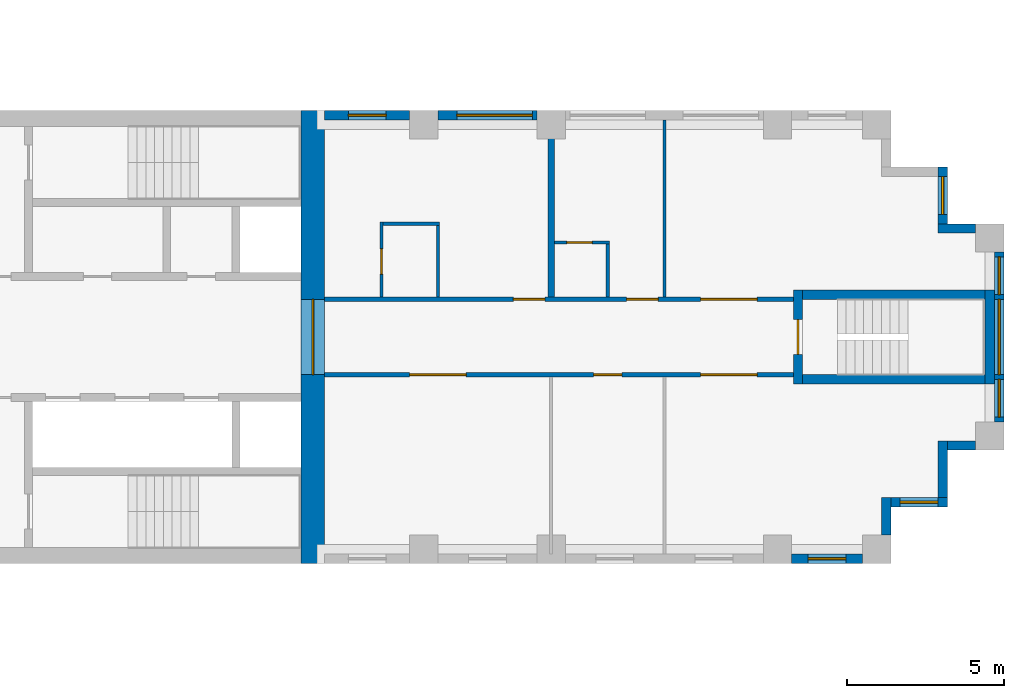
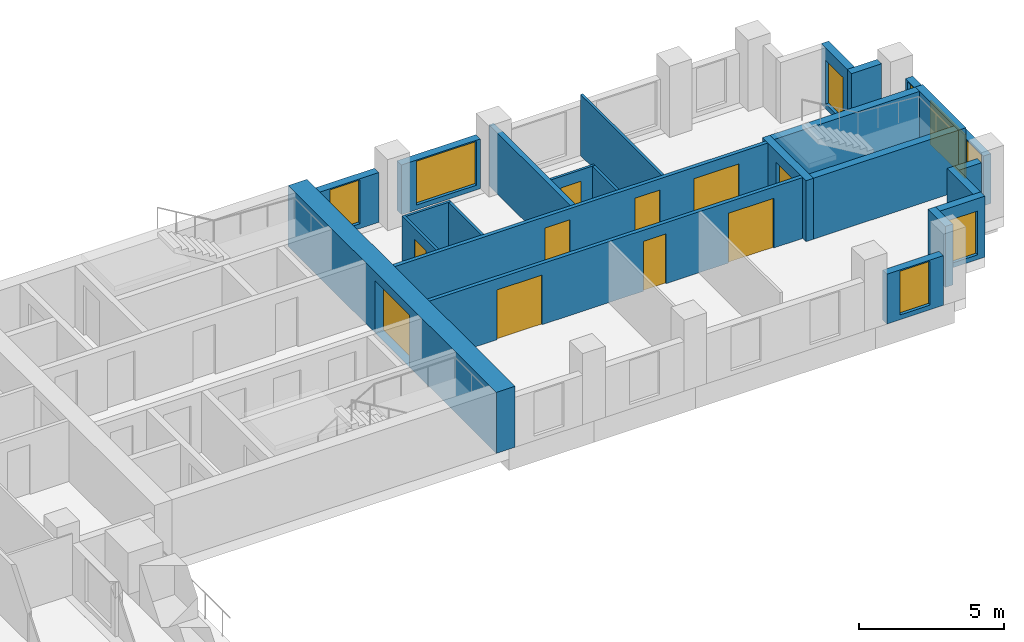
# One storey, part 10 of 13: 24 walls, 10 doors, 8 windows, 18 openings.
"""IFC4 building model written with IfcOpenShell, lengths in metres."""

from ifc_helpers import new_model, si_unit, direction, frame, frame_2d, origin, place, context, subcontext, project, spatial, rectangle, extrude, material, layer, layer_set, type_object, element, fill, save


model = new_model("IFC4")

# Units and contexts
model_context = context("Model", 3, precision=1e-05, world=origin(), true_north=direction((0.0, 1.0)))
body_context = subcontext(model_context, "Body", "Model", "MODEL_VIEW")
ifc_project = project(units=[si_unit("LENGTHUNIT", "METRE"), si_unit("AREAUNIT", "SQUARE_METRE"), si_unit("VOLUMEUNIT", "CUBIC_METRE"), si_unit("PLANEANGLEUNIT", "RADIAN"), si_unit("MASSUNIT", "GRAM", prefix="KILO")], contexts=[model_context])

# Site, building, storey
site_placement = place(None, origin())
site = spatial("IfcSite", under=ifc_project, at=site_placement, CompositionType="ELEMENT")
building_placement = place(site_placement, origin())
building = spatial("IfcBuilding", under=site, at=building_placement, Name="Fustian Cross Tower", CompositionType="ELEMENT")
storey_placement = place(building_placement, frame((0.0, 0.0, 84.89990234375)))
storey = spatial("IfcBuildingStorey", under=building, at=storey_placement, Name="L26", CompositionType="ELEMENT", Elevation=84.89990234375)

# Wall, openings, doors
ifc_material_1 = material(Name="Plasterboard on steel stud", Category="steel")
ifc_layer_1 = layer(ifc_material_1, 0.14990234375)
ifc_layer_set_1 = layer_set([ifc_layer_1], Name="Plasterboard on steel stud")
wall_type_1 = type_object("IfcWallType", Name="COMPARTMENT WALL 150 EI 60", PredefinedType="PARTITIONING", material=ifc_layer_set_1)
wall_1_placement = place(storey_placement, frame((21.60009765625, -1.199951171875, 0.0), z_axis=(0.0, 0.0, 1.0), x_axis=(1.0, 0.0, 0.0)))
wall_1 = element("IfcWall", 1, at=wall_1_placement, inside=storey, type_object=wall_type_1, Name="Partition 70", PredefinedType="PARTITIONING", context=body_context, shape_type="SweptSolid", body=[
    extrude(rectangle(XDim=14.89990234375, YDim=0.14990234375, at=frame_2d((7.449951171875, 0.0))), origin(), (0.0, 0.0, 1.0), 2.5751953125),
])
opening_1_placement = place(wall_1_placement, frame((2.699951171875, 0.0, 0.0)))
opening_1 = element("IfcOpeningElement", 2, at=opening_1_placement, cuts=wall_1, Name="Opening D13014", PredefinedType="OPENING", context=body_context, shape_type="SweptSolid", body=[
    extrude(rectangle(XDim=1.800048828125, YDim=2.10009765625, at=frame_2d((0.89990234375, 1.050048828125))), frame((0.0, 0.0849609375, 0.0), z_axis=(0.0, -1.0, 0.0), x_axis=(1.0, 0.0, 0.0)), (0.0, 0.0, 1.0), 0.169921875),
])
opening_2_placement = place(wall_1_placement, frame((8.550048828125, 0.0, 0.0)))
opening_2 = element("IfcOpeningElement", 3, at=opening_2_placement, cuts=wall_1, Name="Opening D13015", PredefinedType="OPENING", context=body_context, shape_type="SweptSolid", body=[
    extrude(rectangle(XDim=0.89990234375, YDim=2.10009765625, at=frame_2d((0.449951171875, 1.050048828125))), frame((0.0, 0.0849609375, 0.0), z_axis=(0.0, -1.0, 0.0), x_axis=(1.0, 0.0, 0.0)), (0.0, 0.0, 1.0), 0.169921875),
])
opening_3_placement = place(wall_1_placement, frame((11.949951171875, 0.0, 0.0)))
opening_3 = element("IfcOpeningElement", 4, at=opening_3_placement, cuts=wall_1, Name="Opening D13016", PredefinedType="OPENING", context=body_context, shape_type="SweptSolid", body=[
    extrude(rectangle(XDim=1.800048828125, YDim=2.10009765625, at=frame_2d((0.89990234375, 1.050048828125))), frame((0.0, 0.0849609375, 0.0), z_axis=(0.0, -1.0, 0.0), x_axis=(1.0, 0.0, 0.0)), (0.0, 0.0, 1.0), 0.169921875),
])
ifc_material_2 = material(Name="Timber fire door set", Category="wood")
door_type_1 = type_object("IfcDoorType", Name="FIRE DOUBLE DOOR 1800 FD30S", OperationType="DOUBLE_DOOR_DOUBLE_SWING", PredefinedType="DOOR", material=ifc_material_2)
door_1_placement = place(opening_1_placement, origin())
door_1 = element("IfcDoor", 5, at=door_1_placement, inside=storey, type_object=door_type_1, Name="Door D13014", OperationType="DOUBLE_DOOR_DOUBLE_SWING", OverallHeight=2.10009765625, OverallWidth=1.800048828125, PredefinedType="DOOR", context=body_context, shape_type="SweptSolid", body=[
    extrude(rectangle(XDim=1.800048828125, YDim=2.10009765625, at=frame_2d((0.89990234375, 1.050048828125))), frame((0.0, 0.02490234375, 0.0), z_axis=(0.0, -1.0, 0.0), x_axis=(1.0, 0.0, 0.0)), (0.0, 0.0, 1.0), 0.050048828125),
])
fill(opening_1, door_1)
door_2_placement = place(opening_3_placement, origin())
door_2 = element("IfcDoor", 6, at=door_2_placement, inside=storey, type_object=door_type_1, Name="Door D13016", OperationType="DOUBLE_DOOR_DOUBLE_SWING", OverallHeight=2.10009765625, OverallWidth=1.800048828125, PredefinedType="DOOR", context=body_context, shape_type="SweptSolid", body=[
    extrude(rectangle(XDim=1.800048828125, YDim=2.10009765625, at=frame_2d((0.89990234375, 1.050048828125))), frame((0.0, 0.02490234375, 0.0), z_axis=(0.0, -1.0, 0.0), x_axis=(1.0, 0.0, 0.0)), (0.0, 0.0, 1.0), 0.050048828125),
])
fill(opening_3, door_2)
ifc_material_3 = material(Name="Timber fire door set", Category="wood")
door_type_2 = type_object("IfcDoorType", Name="FIRE SWING DOOR 900 FD30S", OperationType="SINGLE_SWING_LEFT", PredefinedType="DOOR", material=ifc_material_3)
door_3_placement = place(opening_2_placement, frame((0.89990234375, 0.0, 0.0), z_axis=(0.0, 0.0, 1.0), x_axis=(-1.0, 0.0, 0.0)))
door_3 = element("IfcDoor", 7, at=door_3_placement, inside=storey, type_object=door_type_2, Name="Door D13015", OperationType="SINGLE_SWING_RIGHT", OverallHeight=2.10009765625, OverallWidth=0.89990234375, PredefinedType="DOOR", context=body_context, shape_type="SweptSolid", body=[
    extrude(rectangle(XDim=0.89990234375, YDim=2.10009765625, at=frame_2d((0.449951171875, 1.050048828125))), frame((0.0, 0.02490234375, 0.0), z_axis=(0.0, -1.0, 0.0), x_axis=(1.0, 0.0, 0.0)), (0.0, 0.0, 1.0), 0.050048828125),
])
fill(opening_2, door_3)

wall_2_placement = place(storey_placement, frame((21.60009765625, 1.199951171875, 0.0), z_axis=(0.0, 0.0, 1.0), x_axis=(1.0, 0.0, 0.0)))
wall_2 = element("IfcWall", 8, at=wall_2_placement, inside=storey, type_object=wall_type_1, Name="Partition 71", PredefinedType="PARTITIONING", context=body_context, shape_type="SweptSolid", body=[
    extrude(rectangle(XDim=14.89990234375, YDim=0.14990234375, at=frame_2d((7.449951171875, 0.0))), origin(), (0.0, 0.0, 1.0), 2.5751953125),
])
opening_4_placement = place(wall_2_placement, frame((6.0, 0.0, 0.0)))
opening_4 = element("IfcOpeningElement", 9, at=opening_4_placement, cuts=wall_2, Name="Opening D13010", PredefinedType="OPENING", context=body_context, shape_type="SweptSolid", body=[
    extrude(rectangle(XDim=1.0, YDim=2.10009765625, at=frame_2d((0.5, 1.050048828125))), frame((0.0, 0.0849609375, 0.0), z_axis=(0.0, -1.0, 0.0), x_axis=(1.0, 0.0, 0.0)), (0.0, 0.0, 1.0), 0.169921875),
])
opening_5_placement = place(wall_2_placement, frame((9.60009765625, 0.0, 0.0)))
opening_5 = element("IfcOpeningElement", 10, at=opening_5_placement, cuts=wall_2, Name="Opening D13012", PredefinedType="OPENING", context=body_context, shape_type="SweptSolid", body=[
    extrude(rectangle(XDim=1.0, YDim=2.10009765625, at=frame_2d((0.5, 1.050048828125))), frame((0.0, 0.0849609375, 0.0), z_axis=(0.0, -1.0, 0.0), x_axis=(1.0, 0.0, 0.0)), (0.0, 0.0, 1.0), 0.169921875),
])
opening_6_placement = place(wall_2_placement, frame((11.949951171875, 0.0, 0.0)))
opening_6 = element("IfcOpeningElement", 11, at=opening_6_placement, cuts=wall_2, Name="Opening D13013", PredefinedType="OPENING", context=body_context, shape_type="SweptSolid", body=[
    extrude(rectangle(XDim=1.800048828125, YDim=2.10009765625, at=frame_2d((0.89990234375, 1.050048828125))), frame((0.0, 0.0849609375, 0.0), z_axis=(0.0, -1.0, 0.0), x_axis=(1.0, 0.0, 0.0)), (0.0, 0.0, 1.0), 0.169921875),
])
door_4_placement = place(opening_6_placement, frame((1.800048828125, 0.0, 0.0), z_axis=(0.0, 0.0, 1.0), x_axis=(-1.0, 0.0, 0.0)))
door_4 = element("IfcDoor", 12, at=door_4_placement, inside=storey, type_object=door_type_1, Name="Door D13013", OperationType="DOUBLE_DOOR_DOUBLE_SWING", OverallHeight=2.10009765625, OverallWidth=1.800048828125, PredefinedType="DOOR", context=body_context, shape_type="SweptSolid", body=[
    extrude(rectangle(XDim=1.800048828125, YDim=2.10009765625, at=frame_2d((0.89990234375, 1.050048828125))), frame((0.0, 0.02490234375, 0.0), z_axis=(0.0, -1.0, 0.0), x_axis=(1.0, 0.0, 0.0)), (0.0, 0.0, 1.0), 0.050048828125),
])
fill(opening_6, door_4)
ifc_material_4 = material(Name="Timber fire door set", Category="wood")
door_type_3 = type_object("IfcDoorType", Name="FIRE SWING DOOR 1000 FD30S", OperationType="SINGLE_SWING_LEFT", PredefinedType="DOOR", material=ifc_material_4)
door_5_placement = place(opening_4_placement, origin())
door_5 = element("IfcDoor", 13, at=door_5_placement, inside=storey, type_object=door_type_3, Name="Door D13010", OperationType="SINGLE_SWING_RIGHT", OverallHeight=2.10009765625, OverallWidth=1.0, PredefinedType="DOOR", context=body_context, shape_type="SweptSolid", body=[
    extrude(rectangle(XDim=1.0, YDim=2.10009765625, at=frame_2d((0.5, 1.050048828125))), frame((0.0, 0.02490234375, 0.0), z_axis=(0.0, -1.0, 0.0), x_axis=(1.0, 0.0, 0.0)), (0.0, 0.0, 1.0), 0.050048828125),
])
fill(opening_4, door_5)
door_6_placement = place(opening_5_placement, origin())
door_6 = element("IfcDoor", 14, at=door_6_placement, inside=storey, type_object=door_type_3, Name="Door D13012", OperationType="SINGLE_SWING_RIGHT", OverallHeight=2.10009765625, OverallWidth=1.0, PredefinedType="DOOR", context=body_context, shape_type="SweptSolid", body=[
    extrude(rectangle(XDim=1.0, YDim=2.10009765625, at=frame_2d((0.5, 1.050048828125))), frame((0.0, 0.02490234375, 0.0), z_axis=(0.0, -1.0, 0.0), x_axis=(1.0, 0.0, 0.0)), (0.0, 0.0, 1.0), 0.050048828125),
])
fill(opening_5, door_6)

# Wall, opening, door
ifc_material_5 = material(Name="Concrete C70/85", Category="concrete")
ifc_layer_2 = layer(ifc_material_5, 0.75)
ifc_layer_set_2 = layer_set([ifc_layer_2], Name="Concrete C70/85")
wall_type_2 = type_object("IfcWallType", Name="CORE END WALL 750 C70/85", PredefinedType="SHEAR", material=ifc_layer_set_2)
wall_3_placement = place(storey_placement, frame((21.22509765625, -7.199951171875, 0.0), z_axis=(0.0, 0.0, 1.0), x_axis=(0.0, 1.0, 0.0)))
wall_3 = element("IfcWall", 15, at=wall_3_placement, inside=storey, type_object=wall_type_2, Name="Core end wall", PredefinedType="SHEAR", context=body_context, shape_type="SweptSolid", body=[
    extrude(rectangle(XDim=14.39990234375, YDim=0.75, at=frame_2d((7.199951171875, 0.0))), origin(), (0.0, 0.0, 1.0), 2.5751953125),
])
opening_7_placement = place(wall_3_placement, frame((6.0, 0.0, 0.0)))
opening_7 = element("IfcOpeningElement", 16, at=opening_7_placement, cuts=wall_3, Name="Opening CD-11-13", PredefinedType="OPENING", context=body_context, shape_type="SweptSolid", body=[
    extrude(rectangle(XDim=2.39990234375, YDim=2.199951171875, at=frame_2d((1.199951171875, 1.10009765625))), frame((0.0, 0.385009765625, 0.0), z_axis=(0.0, -1.0, 0.0), x_axis=(1.0, 0.0, 0.0)), (0.0, 0.0, 1.0), 0.77001953125),
])
ifc_material_6 = material(Name="Steel", Category="steel")
door_type_4 = type_object("IfcDoorType", Name="FIRE DOOR FD30S DOUBLE 2400X2200", OperationType="DOUBLE_DOOR_DOUBLE_SWING", PredefinedType="DOOR", material=ifc_material_6)
door_7_placement = place(opening_7_placement, origin())
door_7 = element("IfcDoor", 17, at=door_7_placement, inside=storey, type_object=door_type_4, Name="Core door CD-11-13", OperationType="DOUBLE_DOOR_DOUBLE_SWING", OverallHeight=2.199951171875, OverallWidth=2.39990234375, PredefinedType="DOOR", context=body_context, shape_type="SweptSolid", body=[
    extrude(rectangle(XDim=2.39990234375, YDim=2.199951171875, at=frame_2d((1.199951171875, 1.10009765625))), frame((0.0, 0.02490234375, 0.0), z_axis=(0.0, -1.0, 0.0), x_axis=(1.0, 0.0, 0.0)), (0.0, 0.0, 1.0), 0.050048828125),
])
fill(opening_7, door_7)

ifc_material_7 = material(Name="Plasterboard on steel stud", Category="steel")
ifc_layer_3 = layer(ifc_material_7, 0.10009765625)
ifc_layer_set_3 = layer_set([ifc_layer_3], Name="Plasterboard on steel stud")
wall_type_3 = type_object("IfcWallType", Name="PARTITION 100 STUD", PredefinedType="PARTITIONING", material=ifc_layer_set_3)
wall_4_placement = place(storey_placement, frame((23.39990234375, 1.27490234375, 0.0), z_axis=(0.0, 0.0, 1.0), x_axis=(0.0, 1.0, 0.0)))
wall_4 = element("IfcWall", 18, at=wall_4_placement, inside=storey, type_object=wall_type_3, Name="Partition 72", PredefinedType="PARTITIONING", context=body_context, shape_type="SweptSolid", body=[
    extrude(rectangle(XDim=2.375, YDim=0.10009765625, at=frame_2d((1.1875, 0.0))), origin(), (0.0, 0.0, 1.0), 2.5751953125),
])
opening_8_placement = place(wall_4_placement, frame((0.72509765625, 0.0, 0.0)))
opening_8 = element("IfcOpeningElement", 19, at=opening_8_placement, cuts=wall_4, Name="Opening D13009", PredefinedType="OPENING", context=body_context, shape_type="SweptSolid", body=[
    extrude(rectangle(XDim=0.800048828125, YDim=2.10009765625, at=frame_2d((0.39990234375, 1.050048828125))), frame((0.0, 0.06005859375, 0.0), z_axis=(0.0, -1.0, 0.0), x_axis=(1.0, 0.0, 0.0)), (0.0, 0.0, 1.0), 0.1201171875),
])
ifc_material_8 = material(Name="Painted timber", Category="wood")
door_type_5 = type_object("IfcDoorType", Name="SWING DOOR 800", OperationType="SINGLE_SWING_LEFT", PredefinedType="DOOR", material=ifc_material_8)
door_8_placement = place(opening_8_placement, frame((0.800048828125, 0.0, 0.0), z_axis=(0.0, 0.0, 1.0), x_axis=(-1.0, 0.0, 0.0)))
door_8 = element("IfcDoor", 20, at=door_8_placement, inside=storey, type_object=door_type_5, Name="Door D13009", OperationType="SINGLE_SWING_RIGHT", OverallHeight=2.10009765625, OverallWidth=0.800048828125, PredefinedType="DOOR", context=body_context, shape_type="SweptSolid", body=[
    extrude(rectangle(XDim=0.800048828125, YDim=2.10009765625, at=frame_2d((0.39990234375, 1.050048828125))), frame((0.0, 0.02490234375, 0.0), z_axis=(0.0, -1.0, 0.0), x_axis=(1.0, 0.0, 0.0)), (0.0, 0.0, 1.0), 0.050048828125),
])
fill(opening_8, door_8)

# Walls
wall_5_placement = place(storey_placement, frame((23.449951171875, 3.60009765625, 0.0), z_axis=(0.0, 0.0, 1.0), x_axis=(1.0, 0.0, 0.0)))
element("IfcWall", 21, at=wall_5_placement, inside=storey, type_object=wall_type_3, Name="Partition 73", PredefinedType="PARTITIONING", context=body_context, shape_type="SweptSolid", body=[
    extrude(rectangle(XDim=1.800048828125, YDim=0.10009765625, at=frame_2d((0.89990234375, 0.0))), origin(), (0.0, 0.0, 1.0), 2.5751953125),
])
wall_6_placement = place(storey_placement, frame((25.199951171875, 1.27490234375, 0.0), z_axis=(0.0, 0.0, 1.0), x_axis=(0.0, 1.0, 0.0)))
element("IfcWall", 22, at=wall_6_placement, inside=storey, type_object=wall_type_3, Name="Partition 74", PredefinedType="PARTITIONING", context=body_context, shape_type="SweptSolid", body=[
    extrude(rectangle(XDim=2.275146484375, YDim=0.10009765625, at=frame_2d((1.1376953125, 0.0))), origin(), (0.0, 0.0, 1.0), 2.5751953125),
])

# Wall, opening, door
wall_7_placement = place(storey_placement, frame((28.89990234375, 3.0, 0.0), z_axis=(0.0, 0.0, 1.0), x_axis=(1.0, 0.0, 0.0)))
wall_7 = element("IfcWall", 23, at=wall_7_placement, inside=storey, type_object=wall_type_3, Name="Partition 77", PredefinedType="PARTITIONING", context=body_context, shape_type="SweptSolid", body=[
    extrude(rectangle(XDim=1.75, YDim=0.10009765625, at=frame_2d((0.875, 0.0))), origin(), (0.0, 0.0, 1.0), 2.5751953125),
])
opening_9_placement = place(wall_7_placement, frame((0.39990234375, 0.0, 0.0)))
opening_9 = element("IfcOpeningElement", 24, at=opening_9_placement, cuts=wall_7, Name="Opening D13011", PredefinedType="OPENING", context=body_context, shape_type="SweptSolid", body=[
    extrude(rectangle(XDim=0.800048828125, YDim=2.10009765625, at=frame_2d((0.39990234375, 1.050048828125))), frame((0.0, 0.06005859375, 0.0), z_axis=(0.0, -1.0, 0.0), x_axis=(1.0, 0.0, 0.0)), (0.0, 0.0, 1.0), 0.1201171875),
])
door_9_placement = place(opening_9_placement, frame((0.800048828125, 0.0, 0.0), z_axis=(0.0, 0.0, 1.0), x_axis=(-1.0, 0.0, 0.0)))
door_9 = element("IfcDoor", 25, at=door_9_placement, inside=storey, type_object=door_type_5, Name="Door D13011", OperationType="SINGLE_SWING_LEFT", OverallHeight=2.10009765625, OverallWidth=0.800048828125, PredefinedType="DOOR", context=body_context, shape_type="SweptSolid", body=[
    extrude(rectangle(XDim=0.800048828125, YDim=2.10009765625, at=frame_2d((0.39990234375, 1.050048828125))), frame((0.0, 0.02490234375, 0.0), z_axis=(0.0, -1.0, 0.0), x_axis=(1.0, 0.0, 0.0)), (0.0, 0.0, 1.0), 0.050048828125),
])
fill(opening_9, door_9)

# Walls
wall_8_placement = place(storey_placement, frame((30.60009765625, 1.27490234375, 0.0), z_axis=(0.0, 0.0, 1.0), x_axis=(0.0, 1.0, 0.0)))
element("IfcWall", 26, at=wall_8_placement, inside=storey, type_object=wall_type_3, Name="Partition 78", PredefinedType="PARTITIONING", context=body_context, shape_type="SweptSolid", body=[
    extrude(rectangle(XDim=1.675048828125, YDim=0.10009765625, at=frame_2d((0.83740234375, 0.0))), origin(), (0.0, 0.0, 1.0), 2.5751953125),
])
wall_9_placement = place(storey_placement, frame((32.39990234375, 1.27490234375, 0.0), z_axis=(0.0, 0.0, 1.0), x_axis=(0.0, 1.0, 0.0)))
element("IfcWall", 27, at=wall_9_placement, inside=storey, type_object=wall_type_3, Name="Partition 80", PredefinedType="PARTITIONING", context=body_context, shape_type="SweptSolid", body=[
    extrude(rectangle(XDim=5.625, YDim=0.10009765625, at=frame_2d((2.8125, 0.0))), origin(), (0.0, 0.0, 1.0), 2.5751953125),
])
ifc_material_9 = material(Name="Plasterboard on steel stud", Category="steel")
ifc_layer_4 = layer(ifc_material_9, 0.199951171875)
ifc_layer_set_4 = layer_set([ifc_layer_4], Name="Plasterboard on steel stud")
wall_type_4 = type_object("IfcWallType", Name="PARTY WALL 200 EI 60", PredefinedType="PARTITIONING", material=ifc_layer_set_4)
wall_10_placement = place(storey_placement, frame((28.800048828125, 1.27490234375, 0.0), z_axis=(0.0, 0.0, 1.0), x_axis=(0.0, 1.0, 0.0)))
element("IfcWall", 28, at=wall_10_placement, inside=storey, type_object=wall_type_4, Name="Partition 76", PredefinedType="PARTITIONING", context=body_context, shape_type="SweptSolid", body=[
    extrude(rectangle(XDim=5.625, YDim=0.199951171875, at=frame_2d((2.8125, 0.0))), origin(), (0.0, 0.0, 1.0), 2.5751953125),
])

# Wall, opening, door
ifc_material_10 = material(Name="Concrete C50/60", Category="concrete")
ifc_layer_5 = layer(ifc_material_10, 0.300048828125)
ifc_layer_set_5 = layer_set([ifc_layer_5], Name="Concrete C50/60")
wall_type_5 = type_object("IfcWallType", Name="STAIR ENCLOSURE WALL 300 C50/60", PredefinedType="SHEAR", material=ifc_layer_set_5)
wall_11_placement = place(storey_placement, frame((36.64990234375, -1.5, 0.0), z_axis=(0.0, 0.0, 1.0), x_axis=(0.0, 1.0, 0.0)))
wall_11 = element("IfcWall", 29, at=wall_11_placement, inside=storey, type_object=wall_type_5, Name="Stair enclosure wall", PredefinedType="SHEAR", context=body_context, shape_type="SweptSolid", body=[
    extrude(rectangle(XDim=3.0, YDim=0.300048828125, at=frame_2d((1.5, 0.0))), origin(), (0.0, 0.0, 1.0), 2.5751953125),
])
opening_10_placement = place(wall_11_placement, frame((0.949951171875, 0.0, 0.0)))
opening_10 = element("IfcOpeningElement", 30, at=opening_10_placement, cuts=wall_11, Name="Opening CD-11-32", PredefinedType="OPENING", context=body_context, shape_type="SweptSolid", body=[
    extrude(rectangle(XDim=1.10009765625, YDim=2.10009765625, at=frame_2d((0.550048828125, 1.050048828125))), frame((0.0, 0.159912109375, 0.0), z_axis=(0.0, -1.0, 0.0), x_axis=(1.0, 0.0, 0.0)), (0.0, 0.0, 1.0), 0.320068359375),
])
ifc_material_11 = material(Name="Steel", Category="steel")
door_type_6 = type_object("IfcDoorType", Name="FIRE DOOR FD60S 1100X2100", OperationType="SINGLE_SWING_LEFT", PredefinedType="DOOR", material=ifc_material_11)
door_10_placement = place(opening_10_placement, frame((1.10009765625, 0.0, 0.0), z_axis=(0.0, 0.0, 1.0), x_axis=(-1.0, 0.0, 0.0)))
door_10 = element("IfcDoor", 31, at=door_10_placement, inside=storey, type_object=door_type_6, Name="Core door CD-11-32", OperationType="SINGLE_SWING_RIGHT", OverallHeight=2.10009765625, OverallWidth=1.10009765625, PredefinedType="DOOR", context=body_context, shape_type="SweptSolid", body=[
    extrude(rectangle(XDim=1.10009765625, YDim=2.10009765625, at=frame_2d((0.550048828125, 1.050048828125))), frame((0.0, 0.02490234375, 0.0), z_axis=(0.0, -1.0, 0.0), x_axis=(1.0, 0.0, 0.0)), (0.0, 0.0, 1.0), 0.050048828125),
])
fill(opening_10, door_10)

# Walls
wall_12_placement = place(storey_placement, frame((42.75, -1.5, 0.0), z_axis=(0.0, 0.0, 1.0), x_axis=(0.0, 1.0, 0.0)))
element("IfcWall", 32, at=wall_12_placement, inside=storey, type_object=wall_type_5, Name="Stair enclosure wall", PredefinedType="SHEAR", context=body_context, shape_type="SweptSolid", body=[
    extrude(rectangle(XDim=3.0, YDim=0.300048828125, at=frame_2d((1.5, 0.0))), origin(), (0.0, 0.0, 1.0), 2.5751953125),
])
for number, where, z_axis, x_axis, name in (
    (33, (36.800048828125, -1.35009765625, 0.0), (0.0, 0.0, 1.0), (1.0, 0.0, 0.0), "Stair enclosure wall"),
    (34, (36.800048828125, 1.35009765625, 0.0), (0.0, 0.0, 1.0), (1.0, 0.0, 0.0), "Stair enclosure wall"),
):
    element("IfcWall", number, at=place(storey_placement, frame(where, z_axis=z_axis, x_axis=x_axis)), inside=storey, type_object=wall_type_5, Name=name, PredefinedType="SHEAR", context=body_context, shape_type="SweptSolid", body=[
        extrude(rectangle(XDim=5.800048828125, YDim=0.300048828125, at=frame_2d((2.89990234375, 0.0))), origin(), (0.0, 0.0, 1.0), 2.5751953125),
    ])

# Wall, opening, window
ifc_material_12 = material(Name="Dark aluminium cladding on insulated backing wall", Category="aluminium")
ifc_layer_6 = layer(ifc_material_12, 0.300048828125)
ifc_layer_set_6 = layer_set([ifc_layer_6], Name="Dark aluminium cladding on insulated backing wall")
wall_type_6 = type_object("IfcWallType", Name="XW1 EXTERNAL WALL 300", PredefinedType="SOLIDWALL", material=ifc_layer_set_6)
wall_13_placement = place(storey_placement, frame((36.449951171875, -7.050048828125, 0.0), z_axis=(0.0, 0.0, 1.0), x_axis=(1.0, 0.0, 0.0)))
wall_13 = element("IfcWall", 35, at=wall_13_placement, inside=storey, type_object=wall_type_6, Name="External wall", PredefinedType="SOLIDWALL", context=body_context, shape_type="SweptSolid", body=[
    extrude(rectangle(XDim=2.25, YDim=0.300048828125, at=frame_2d((1.125, 0.0))), origin(), (0.0, 0.0, 1.0), 2.10009765625),
])
opening_11_placement = place(wall_13_placement, frame((0.52490234375, 0.0, 0.199951171875)))
opening_11 = element("IfcOpeningElement", 36, at=opening_11_placement, cuts=wall_13, Name="Opening WN3", PredefinedType="OPENING", context=body_context, shape_type="SweptSolid", body=[
    extrude(rectangle(XDim=1.199951171875, YDim=1.85009765625, at=frame_2d((0.60009765625, 0.925048828125))), frame((0.0, 0.159912109375, 0.0), z_axis=(0.0, -1.0, 0.0), x_axis=(1.0, 0.0, 0.0)), (0.0, 0.0, 1.0), 0.320068359375),
])
ifc_material_13 = material(Name="Dark anodised aluminium and double glazing", Category="aluminium")
window_type_1 = type_object("IfcWindowType", Name="WN3 WINDOW 1200X1850", PartitioningType="SINGLE_PANEL", PredefinedType="WINDOW", material=ifc_material_13)
window_1_placement = place(opening_11_placement, origin())
window_1 = element("IfcWindow", 37, at=window_1_placement, inside=storey, type_object=window_type_1, Name="Window", OverallHeight=1.85009765625, OverallWidth=1.199951171875, PartitioningType="SINGLE_PANEL", PredefinedType="WINDOW", context=body_context, shape_type="SweptSolid", body=[
    extrude(rectangle(XDim=1.199951171875, YDim=1.85009765625, at=frame_2d((0.60009765625, 0.925048828125))), frame((0.0, 0.030029296875, 0.0), z_axis=(0.0, -1.0, 0.0), x_axis=(1.0, 0.0, 0.0)), (0.0, 0.0, 1.0), 0.06005859375),
])
fill(opening_11, window_1)

# Wall
wall_14_placement = place(storey_placement, frame((39.449951171875, -6.300048828125, 0.0), z_axis=(0.0, 0.0, 1.0), x_axis=(0.0, 1.0, 0.0)))
element("IfcWall", 38, at=wall_14_placement, inside=storey, type_object=wall_type_6, Name="External wall", PredefinedType="SOLIDWALL", context=body_context, shape_type="SweptSolid", body=[
    extrude(rectangle(XDim=1.199951171875, YDim=0.300048828125, at=frame_2d((0.60009765625, 0.0))), origin(), (0.0, 0.0, 1.0), 2.5751953125),
])

# Wall, opening, window
wall_15_placement = place(storey_placement, frame((39.60009765625, -5.25, 0.0), z_axis=(0.0, 0.0, 1.0), x_axis=(1.0, 0.0, 0.0)))
wall_15 = element("IfcWall", 39, at=wall_15_placement, inside=storey, type_object=wall_type_6, Name="External wall", PredefinedType="SOLIDWALL", context=body_context, shape_type="SweptSolid", body=[
    extrude(rectangle(XDim=1.7998046875, YDim=0.300048828125, at=frame_2d((0.89990234375, 0.0))), origin(), (0.0, 0.0, 1.0), 2.5751953125),
])
opening_12_placement = place(wall_15_placement, frame((0.300048828125, 0.0, 0.199951171875)))
opening_12 = element("IfcOpeningElement", 40, at=opening_12_placement, cuts=wall_15, Name="Opening WN3", PredefinedType="OPENING", context=body_context, shape_type="SweptSolid", body=[
    extrude(rectangle(XDim=1.199951171875, YDim=1.85009765625, at=frame_2d((0.60009765625, 0.925048828125))), frame((0.0, 0.159912109375, 0.0), z_axis=(0.0, -1.0, 0.0), x_axis=(1.0, 0.0, 0.0)), (0.0, 0.0, 1.0), 0.320068359375),
])
window_2_placement = place(opening_12_placement, origin())
window_2 = element("IfcWindow", 41, at=window_2_placement, inside=storey, type_object=window_type_1, Name="Window", OverallHeight=1.85009765625, OverallWidth=1.199951171875, PartitioningType="SINGLE_PANEL", PredefinedType="WINDOW", context=body_context, shape_type="SweptSolid", body=[
    extrude(rectangle(XDim=1.199951171875, YDim=1.85009765625, at=frame_2d((0.60009765625, 0.925048828125))), frame((0.0, 0.030029296875, 0.0), z_axis=(0.0, -1.0, 0.0), x_axis=(1.0, 0.0, 0.0)), (0.0, 0.0, 1.0), 0.06005859375),
])
fill(opening_12, window_2)

# Walls
wall_16_placement = place(storey_placement, frame((41.25, -5.10009765625, 0.0), z_axis=(0.0, 0.0, 1.0), x_axis=(0.0, 1.0, 0.0)))
element("IfcWall", 42, at=wall_16_placement, inside=storey, type_object=wall_type_6, Name="External wall", PredefinedType="SOLIDWALL", context=body_context, shape_type="SweptSolid", body=[
    extrude(rectangle(XDim=1.800048828125, YDim=0.300048828125, at=frame_2d((0.89990234375, 0.0))), origin(), (0.0, 0.0, 1.0), 2.5751953125),
])
wall_17_placement = place(storey_placement, frame((41.39990234375, -3.449951171875, 0.0), z_axis=(0.0, 0.0, 1.0), x_axis=(1.0, 0.0, 0.0)))
element("IfcWall", 43, at=wall_17_placement, inside=storey, type_object=wall_type_6, Name="External wall", PredefinedType="SOLIDWALL", context=body_context, shape_type="SweptSolid", body=[
    extrude(rectangle(XDim=0.900146484375, YDim=0.300048828125, at=frame_2d((0.4501953125, 0.0))), origin(), (0.0, 0.0, 1.0), 2.5751953125),
])

# Wall, openings, windows
wall_18_placement = place(storey_placement, frame((43.050048828125, -2.699951171875, 0.0), z_axis=(0.0, 0.0, 1.0), x_axis=(0.0, 1.0, 0.0)))
wall_18 = element("IfcWall", 44, at=wall_18_placement, inside=storey, type_object=wall_type_6, Name="External wall", PredefinedType="SOLIDWALL", context=body_context, shape_type="SweptSolid", body=[
    extrude(rectangle(XDim=5.39990234375, YDim=0.300048828125, at=frame_2d((2.699951171875, 0.0))), origin(), (0.0, 0.0, 1.0), 2.10009765625),
])
opening_13_placement = place(wall_18_placement, frame((1.5, 0.0, 0.199951171875)))
opening_13 = element("IfcOpeningElement", 45, at=opening_13_placement, cuts=wall_18, Name="Opening WN1", PredefinedType="OPENING", context=body_context, shape_type="SweptSolid", body=[
    extrude(rectangle(XDim=2.39990234375, YDim=1.85009765625, at=frame_2d((1.199951171875, 0.925048828125))), frame((0.0, 0.159912109375, 0.0), z_axis=(0.0, -1.0, 0.0), x_axis=(1.0, 0.0, 0.0)), (0.0, 0.0, 1.0), 0.320068359375),
])
opening_14_placement = place(wall_18_placement, frame((0.14990234375, 0.0, 0.199951171875)))
opening_14 = element("IfcOpeningElement", 46, at=opening_14_placement, cuts=wall_18, Name="Opening WN3", PredefinedType="OPENING", context=body_context, shape_type="SweptSolid", body=[
    extrude(rectangle(XDim=1.199951171875, YDim=1.85009765625, at=frame_2d((0.60009765625, 0.925048828125))), frame((0.0, 0.159912109375, 0.0), z_axis=(0.0, -1.0, 0.0), x_axis=(1.0, 0.0, 0.0)), (0.0, 0.0, 1.0), 0.320068359375),
])
opening_15_placement = place(wall_18_placement, frame((4.050048828125, 0.0, 0.199951171875)))
opening_15 = element("IfcOpeningElement", 47, at=opening_15_placement, cuts=wall_18, Name="Opening WN3", PredefinedType="OPENING", context=body_context, shape_type="SweptSolid", body=[
    extrude(rectangle(XDim=1.199951171875, YDim=1.85009765625, at=frame_2d((0.60009765625, 0.925048828125))), frame((0.0, 0.159912109375, 0.0), z_axis=(0.0, -1.0, 0.0), x_axis=(1.0, 0.0, 0.0)), (0.0, 0.0, 1.0), 0.320068359375),
])
ifc_material_14 = material(Name="Dark anodised aluminium and double glazing", Category="aluminium")
window_type_2 = type_object("IfcWindowType", Name="WN1 WINDOW 2400X1850", PartitioningType="SINGLE_PANEL", PredefinedType="WINDOW", material=ifc_material_14)
window_3_placement = place(opening_13_placement, origin())
window_3 = element("IfcWindow", 48, at=window_3_placement, inside=storey, type_object=window_type_2, Name="Window", OverallHeight=1.85009765625, OverallWidth=2.39990234375, PartitioningType="SINGLE_PANEL", PredefinedType="WINDOW", context=body_context, shape_type="SweptSolid", body=[
    extrude(rectangle(XDim=2.39990234375, YDim=1.85009765625, at=frame_2d((1.199951171875, 0.925048828125))), frame((0.0, 0.030029296875, 0.0), z_axis=(0.0, -1.0, 0.0), x_axis=(1.0, 0.0, 0.0)), (0.0, 0.0, 1.0), 0.06005859375),
])
fill(opening_13, window_3)
window_4_placement = place(opening_14_placement, origin())
window_4 = element("IfcWindow", 49, at=window_4_placement, inside=storey, type_object=window_type_1, Name="Window", OverallHeight=1.85009765625, OverallWidth=1.199951171875, PartitioningType="SINGLE_PANEL", PredefinedType="WINDOW", context=body_context, shape_type="SweptSolid", body=[
    extrude(rectangle(XDim=1.199951171875, YDim=1.85009765625, at=frame_2d((0.60009765625, 0.925048828125))), frame((0.0, 0.030029296875, 0.0), z_axis=(0.0, -1.0, 0.0), x_axis=(1.0, 0.0, 0.0)), (0.0, 0.0, 1.0), 0.06005859375),
])
fill(opening_14, window_4)
window_5_placement = place(opening_15_placement, origin())
window_5 = element("IfcWindow", 50, at=window_5_placement, inside=storey, type_object=window_type_1, Name="Window", OverallHeight=1.85009765625, OverallWidth=1.199951171875, PartitioningType="SINGLE_PANEL", PredefinedType="WINDOW", context=body_context, shape_type="SweptSolid", body=[
    extrude(rectangle(XDim=1.199951171875, YDim=1.85009765625, at=frame_2d((0.60009765625, 0.925048828125))), frame((0.0, 0.030029296875, 0.0), z_axis=(0.0, -1.0, 0.0), x_axis=(1.0, 0.0, 0.0)), (0.0, 0.0, 1.0), 0.06005859375),
])
fill(opening_15, window_5)

# Wall
wall_19_placement = place(storey_placement, frame((42.300048828125, 3.449951171875, 0.0), z_axis=(0.0, 0.0, 1.0), x_axis=(-1.0, 0.0, 0.0)))
element("IfcWall", 51, at=wall_19_placement, inside=storey, type_object=wall_type_6, Name="External wall", PredefinedType="SOLIDWALL", context=body_context, shape_type="SweptSolid", body=[
    extrude(rectangle(XDim=1.199951171875, YDim=0.300048828125, at=frame_2d((0.60009765625, 0.0))), origin(), (0.0, 0.0, 1.0), 2.5751953125),
])

# Wall, opening, window
wall_20_placement = place(storey_placement, frame((41.25, 3.60009765625, 0.0), z_axis=(0.0, 0.0, 1.0), x_axis=(0.0, 1.0, 0.0)))
wall_20 = element("IfcWall", 52, at=wall_20_placement, inside=storey, type_object=wall_type_6, Name="External wall", PredefinedType="SOLIDWALL", context=body_context, shape_type="SweptSolid", body=[
    extrude(rectangle(XDim=1.7998046875, YDim=0.300048828125, at=frame_2d((0.89990234375, 0.0))), origin(), (0.0, 0.0, 1.0), 2.5751953125),
])
opening_16_placement = place(wall_20_placement, frame((0.300048828125, 0.0, 0.199951171875)))
opening_16 = element("IfcOpeningElement", 53, at=opening_16_placement, cuts=wall_20, Name="Opening WN3", PredefinedType="OPENING", context=body_context, shape_type="SweptSolid", body=[
    extrude(rectangle(XDim=1.199951171875, YDim=1.85009765625, at=frame_2d((0.60009765625, 0.925048828125))), frame((0.0, 0.159912109375, 0.0), z_axis=(0.0, -1.0, 0.0), x_axis=(1.0, 0.0, 0.0)), (0.0, 0.0, 1.0), 0.320068359375),
])
window_6_placement = place(opening_16_placement, origin())
window_6 = element("IfcWindow", 54, at=window_6_placement, inside=storey, type_object=window_type_1, Name="Window", OverallHeight=1.85009765625, OverallWidth=1.199951171875, PartitioningType="SINGLE_PANEL", PredefinedType="WINDOW", context=body_context, shape_type="SweptSolid", body=[
    extrude(rectangle(XDim=1.199951171875, YDim=1.85009765625, at=frame_2d((0.60009765625, 0.925048828125))), frame((0.0, 0.030029296875, 0.0), z_axis=(0.0, -1.0, 0.0), x_axis=(1.0, 0.0, 0.0)), (0.0, 0.0, 1.0), 0.06005859375),
])
fill(opening_16, window_6)

wall_21_placement = place(storey_placement, frame((28.35009765625, 7.050048828125, 0.0), z_axis=(0.0, 0.0, 1.0), x_axis=(-1.0, 0.0, 0.0)))
wall_21 = element("IfcWall", 55, at=wall_21_placement, inside=storey, type_object=wall_type_6, Name="External wall", PredefinedType="SOLIDWALL", context=body_context, shape_type="SweptSolid", body=[
    extrude(rectangle(XDim=3.150146484375, YDim=0.300048828125, at=frame_2d((1.5751953125, 0.0))), origin(), (0.0, 0.0, 1.0), 2.10009765625),
])
opening_17_placement = place(wall_21_placement, frame((0.14990234375, 0.0, 0.199951171875)))
opening_17 = element("IfcOpeningElement", 56, at=opening_17_placement, cuts=wall_21, Name="Opening WN1", PredefinedType="OPENING", context=body_context, shape_type="SweptSolid", body=[
    extrude(rectangle(XDim=2.39990234375, YDim=1.85009765625, at=frame_2d((1.199951171875, 0.925048828125))), frame((0.0, 0.159912109375, 0.0), z_axis=(0.0, -1.0, 0.0), x_axis=(1.0, 0.0, 0.0)), (0.0, 0.0, 1.0), 0.320068359375),
])
window_7_placement = place(opening_17_placement, origin())
window_7 = element("IfcWindow", 57, at=window_7_placement, inside=storey, type_object=window_type_2, Name="Window", OverallHeight=1.85009765625, OverallWidth=2.39990234375, PartitioningType="SINGLE_PANEL", PredefinedType="WINDOW", context=body_context, shape_type="SweptSolid", body=[
    extrude(rectangle(XDim=2.39990234375, YDim=1.85009765625, at=frame_2d((1.199951171875, 0.925048828125))), frame((0.0, 0.030029296875, 0.0), z_axis=(0.0, -1.0, 0.0), x_axis=(1.0, 0.0, 0.0)), (0.0, 0.0, 1.0), 0.06005859375),
])
fill(opening_17, window_7)

wall_22_placement = place(storey_placement, frame((24.300048828125, 7.050048828125, 0.0), z_axis=(0.0, 0.0, 1.0), x_axis=(-1.0, 0.0, 0.0)))
wall_22 = element("IfcWall", 58, at=wall_22_placement, inside=storey, type_object=wall_type_6, Name="External wall", PredefinedType="SOLIDWALL", context=body_context, shape_type="SweptSolid", body=[
    extrude(rectangle(XDim=2.699951171875, YDim=0.300048828125, at=frame_2d((1.35009765625, 0.0))), origin(), (0.0, 0.0, 1.0), 2.10009765625),
])
opening_18_placement = place(wall_22_placement, frame((0.75, 0.0, 0.199951171875)))
opening_18 = element("IfcOpeningElement", 59, at=opening_18_placement, cuts=wall_22, Name="Opening WN3", PredefinedType="OPENING", context=body_context, shape_type="SweptSolid", body=[
    extrude(rectangle(XDim=1.199951171875, YDim=1.85009765625, at=frame_2d((0.60009765625, 0.925048828125))), frame((0.0, 0.159912109375, 0.0), z_axis=(0.0, -1.0, 0.0), x_axis=(1.0, 0.0, 0.0)), (0.0, 0.0, 1.0), 0.320068359375),
])
window_8_placement = place(opening_18_placement, origin())
window_8 = element("IfcWindow", 60, at=window_8_placement, inside=storey, type_object=window_type_1, Name="Window", OverallHeight=1.85009765625, OverallWidth=1.199951171875, PartitioningType="SINGLE_PANEL", PredefinedType="WINDOW", context=body_context, shape_type="SweptSolid", body=[
    extrude(rectangle(XDim=1.199951171875, YDim=1.85009765625, at=frame_2d((0.60009765625, 0.925048828125))), frame((0.0, 0.030029296875, 0.0), z_axis=(0.0, -1.0, 0.0), x_axis=(1.0, 0.0, 0.0)), (0.0, 0.0, 1.0), 0.06005859375),
])
fill(opening_18, window_8)

save(model, "model.ifc")
